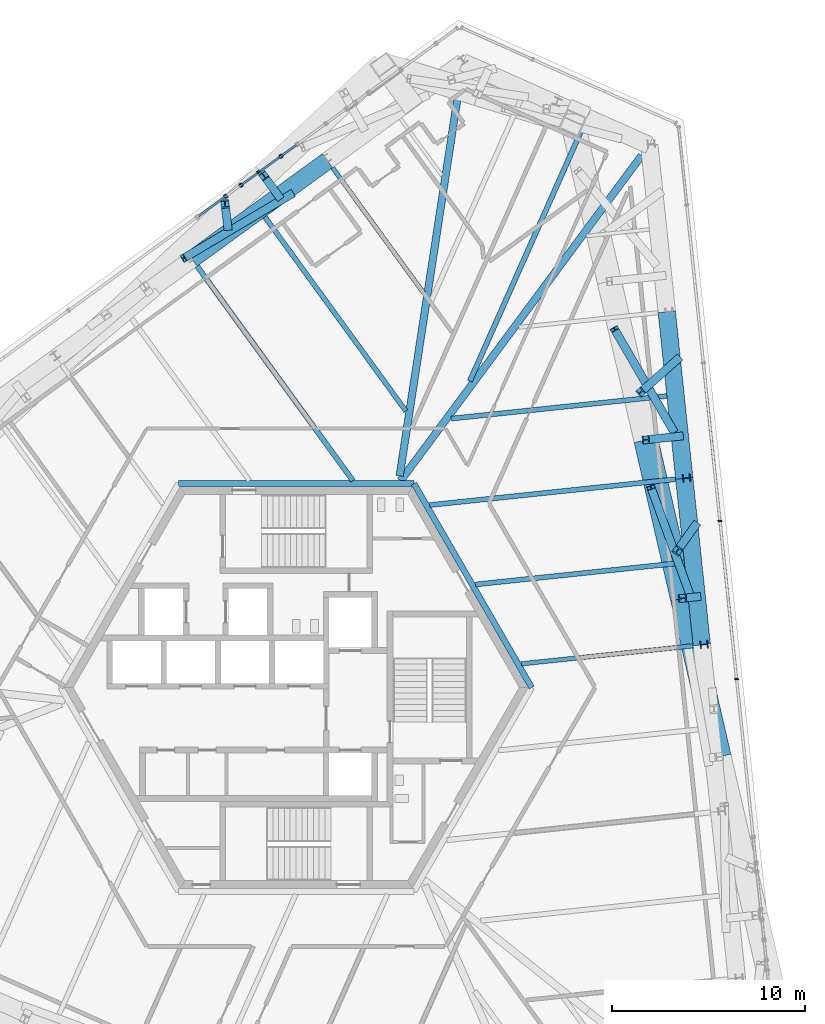
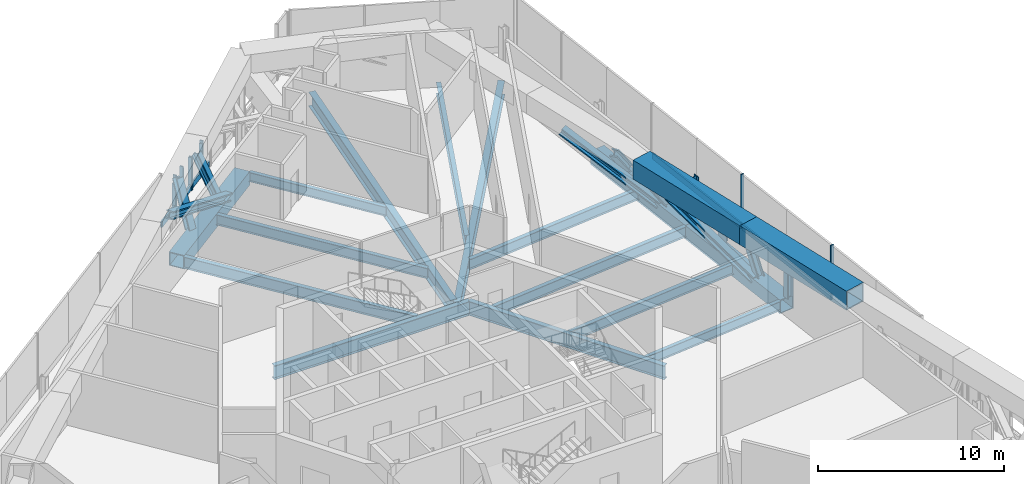
# One storey, part 7 of 30: 32 members, 12 beams, 6 elements without a shape of their own.
"""IFC4 building model written with IfcOpenShell, lengths in metres."""

from ifc_helpers import new_model, si_unit, direction, frame, origin, origin_2d, place, context, subcontext, project, spatial, rectangle, hollow_rectangle, i_section, extrude, source, transform, mapped, material, material_profile, profile_set, type_object, element, aggregate, save


model = new_model("IFC4")

# Units and contexts
model_context = context("Model", 3, precision=1e-05, world=origin(), true_north=direction((0.0, 1.0)))
body_context = subcontext(model_context, "Body", "Model", "MODEL_VIEW")
ifc_project = project(units=[si_unit("LENGTHUNIT", "METRE"), si_unit("AREAUNIT", "SQUARE_METRE"), si_unit("VOLUMEUNIT", "CUBIC_METRE"), si_unit("PLANEANGLEUNIT", "RADIAN"), si_unit("MASSUNIT", "GRAM", prefix="KILO")], contexts=[model_context])

# Site, building, storey
site_placement = place(None, origin())
site = spatial("IfcSite", under=ifc_project, at=site_placement, CompositionType="ELEMENT")
building_placement = place(site_placement, origin())
building = spatial("IfcBuilding", under=site, at=building_placement, Name="Triune Harvest Tower", CompositionType="ELEMENT")
storey_placement = place(building_placement, frame((0.0, 0.0, 94.5)))
storey = spatial("IfcBuildingStorey", under=building, at=storey_placement, Name="L23", CompositionType="ELEMENT", Elevation=94.5)

# Beams
ifc_material_1 = material(Name="Steel ASTM A992 Gr 50", Category="steel")
ifc_material_profile_1 = material_profile(ifc_material_1, i_section(OverallWidth=0.383544921875, OverallDepth=0.9423828125, WebThickness=0.022216796875, FlangeThickness=0.039794921875, at=origin_2d()), Name="W36x232")
ifc_profile_set_1 = profile_set([ifc_material_profile_1], Name="Steel ASTM A992 Gr 50")
beam_type_1 = type_object("IfcBeamType", Name="HG-1 Hip girder W36x232", PredefinedType="BEAM", material=ifc_profile_set_1)
beam_1_placement = place(storey_placement, frame((17.864501953125, 27.514404296875, -0.72119140625), z_axis=(-0.595421945257, -0.803413160899, 0.0), x_axis=(0.803413160899, -0.595421945257, 0.0)))
element("IfcBeam", 1, at=beam_1_placement, inside=storey, type_object=beam_type_1, Name="beam/L23/HG3", PredefinedType="BEAM", context=body_context, shape_type="SweptSolid", body=[
    extrude(i_section(OverallWidth=0.383544921875, OverallDepth=0.9423828125, WebThickness=0.022216796875, FlangeThickness=0.039794921875, at=origin_2d()), origin(), (0.0, 0.0, 1.0), 20.932373046875),
])
ifc_material_2 = material(Name="Steel ASTM A992 Gr 50", Category="steel")
ifc_material_profile_2 = material_profile(ifc_material_2, i_section(OverallWidth=0.22900390625, OverallDepth=0.612060546875, WebThickness=0.011962890625, FlangeThickness=0.01953125, at=origin_2d()), Name="W24x84")
ifc_profile_set_2 = profile_set([ifc_material_profile_2], Name="Steel ASTM A992 Gr 50")
beam_type_2 = type_object("IfcBeamType", Name="JT-3 Floor joist W24x84", PredefinedType="JOIST", material=ifc_profile_set_2)
beam_2_placement = place(storey_placement, frame((1.88232421875, 26.88330078125, -0.55615234375), z_axis=(0.587791940348, -0.809012135176, 0.0), x_axis=(0.809012135176, 0.587791940348, 0.0)))
element("IfcBeam", 2, at=beam_2_placement, inside=storey, type_object=beam_type_2, Name="beam/L23/JT15", PredefinedType="JOIST", context=body_context, shape_type="SweptSolid", body=[
    extrude(i_section(OverallWidth=0.22900390625, OverallDepth=0.612060546875, WebThickness=0.011962890625, FlangeThickness=0.01953125, at=origin_2d()), origin(), (0.0, 0.0, 1.0), 8.02880859375),
])
ifc_material_3 = material(Name="Steel ASTM A992 Gr 50", Category="steel")
ifc_material_profile_3 = material_profile(ifc_material_3, i_section(OverallWidth=0.253662109375, OverallDepth=0.683349609375, WebThickness=0.012451171875, FlangeThickness=0.01904296875, at=origin_2d()), Name="W27x94")
ifc_profile_set_3 = profile_set([ifc_material_profile_3], Name="Steel ASTM A992 Gr 50")
beam_type_3 = type_object("IfcBeamType", Name="JT-4 Floor joist W27x94", PredefinedType="JOIST", material=ifc_profile_set_3)
beam_3_placement = place(storey_placement, frame((20.076904296875, 6.465087890625, -0.591552734375), z_axis=(-0.994522682543, -0.10452097353, 0.0), x_axis=(0.10452097353, -0.994522682543, 0.0)))
element("IfcBeam", 3, at=beam_3_placement, inside=storey, type_object=beam_type_3, Name="beam/L23/JT7", PredefinedType="JOIST", context=body_context, shape_type="SweptSolid", body=[
    extrude(i_section(OverallWidth=0.253662109375, OverallDepth=0.683349609375, WebThickness=0.012451171875, FlangeThickness=0.01904296875, at=origin_2d()), origin(), (0.0, 0.0, 1.0), 10.861572265625),
])
beam_4_placement = place(storey_placement, frame((19.17138671875, 15.079833984375, -0.591552734375), z_axis=(-0.994522260806, -0.104524986299, 0.0), x_axis=(0.104524986299, -0.994522260806, 0.0)))
element("IfcBeam", 4, at=beam_4_placement, inside=storey, type_object=beam_type_3, Name="beam/L23/JT9", PredefinedType="JOIST", context=body_context, shape_type="SweptSolid", body=[
    extrude(i_section(OverallWidth=0.253662109375, OverallDepth=0.683349609375, WebThickness=0.012451171875, FlangeThickness=0.01904296875, at=origin_2d()), origin(), (0.0, 0.0, 1.0), 11.2138671875),
])
ifc_material_4 = material(Name="Steel ASTM A992 Gr 50", Category="steel")
ifc_material_profile_4 = material_profile(ifc_material_4, i_section(OverallWidth=0.2666015625, OverallDepth=0.7568359375, WebThickness=0.013916015625, FlangeThickness=0.019287109375, at=origin_2d()), Name="W30x108")
ifc_profile_set_4 = profile_set([ifc_material_profile_4], Name="Steel ASTM A992 Gr 50")
beam_type_4 = type_object("IfcBeamType", Name="JT-5 Floor joist W30x108", PredefinedType="JOIST", material=ifc_profile_set_4)
beam_5_placement = place(storey_placement, frame((14.865966796875, 29.06787109375, -0.62841796875), z_axis=(-0.406727052674, -0.913549727504, 0.0), x_axis=(0.913549727504, -0.406727052674, 0.0)))
element("IfcBeam", 5, at=beam_5_placement, inside=storey, type_object=beam_type_4, Name="beam/L23/JT12", PredefinedType="JOIST", context=body_context, shape_type="SweptSolid", body=[
    extrude(i_section(OverallWidth=0.2666015625, OverallDepth=0.7568359375, WebThickness=0.013916015625, FlangeThickness=0.019287109375, at=origin_2d()), origin(), (0.0, 0.0, 1.0), 14.468505859375),
])
beam_6_placement = place(storey_placement, frame((-5.12548828125, 21.791748046875, -0.62841796875), z_axis=(0.587785268108, -0.809016982884, 0.0), x_axis=(0.809016982884, 0.587785268108, 0.0)))
element("IfcBeam", 6, at=beam_6_placement, inside=storey, type_object=beam_type_4, Name="beam/L23/JT17", PredefinedType="JOIST", context=body_context, shape_type="SweptSolid", body=[
    extrude(i_section(OverallWidth=0.2666015625, OverallDepth=0.7568359375, WebThickness=0.013916015625, FlangeThickness=0.019287109375, at=origin_2d()), origin(), (0.0, 0.0, 1.0), 13.7138671875),
])

# Member
ifc_material_5 = material(Name="Steel ASTM A992 Gr 50", Category="steel")
ifc_material_profile_5 = material_profile(ifc_material_5, i_section(OverallWidth=0.424072265625, OverallDepth=0.47509765625, WebThickness=0.0478515625, FlangeThickness=0.0771484375, at=origin_2d()), Name="W14x426")
ifc_profile_set_5 = profile_set([ifc_material_profile_5], Name="Steel ASTM A992 Gr 50")
member_type_1 = type_object("IfcMemberType", Name="TD-1 Belt truss diagonal W14x426", PredefinedType="BRACE", material=ifc_profile_set_5)
member_1_placement = place(storey_placement, frame((-3.543701171875, 23.867919921875, -0.324951171875), z_axis=(-0.046182211938, 0.383623515831, 0.922334105084), x_axis=(-0.992831642973, -0.119521247948, 0.0)))
element("IfcMember", 7, at=member_1_placement, inside=storey, type_object=member_type_1, Name="truss/L23/TD20", PredefinedType="BRACE", context=body_context, shape_type="SweptSolid", body=[
    extrude(i_section(OverallWidth=0.424072265625, OverallDepth=0.47509765625, WebThickness=0.0478515625, FlangeThickness=0.0771484375, at=origin_2d()), origin(), (0.0, 0.0, 1.0), 2.9814453125),
])

# Curtain wall, member
ifc_material_6 = material(Name="Aluminium bronze anodised", Category="aluminium")
curtain_wall_type = type_object("IfcCurtainWallType", Name="CW-5 Plant louvre wall", PredefinedType="NOTDEFINED", material=ifc_material_6)
curtain_wall_1_placement = place(storey_placement, origin())
curtain_wall_1 = element("IfcCurtainWall", 8, at=curtain_wall_1_placement, inside=storey, type_object=curtain_wall_type, Name="CW-5 B2-F3 L23 run 801")
ifc_material_7 = material(Name="Aluminium bronze anodised", Category="aluminium")
ifc_material_profile_6 = material_profile(ifc_material_7, rectangle(XDim=0.10009765625, YDim=0.39990234375, at=origin_2d()), Name="TR-5 transom 100 x 400")
ifc_profile_set_6 = profile_set([ifc_material_profile_6], Name="Aluminium bronze anodised")
member_type_2 = type_object("IfcMemberType", Name="TR-5 transom 100 x 400", PredefinedType="USERDEFINED", material=ifc_profile_set_6)
member_2_placement = place(storey_placement, frame((-0.853515625, 27.435791015625, 0.199951171875), z_axis=(-0.80902082646, -0.587779977844, 0.0), x_axis=(0.587779977844, -0.80902082646, 0.0)))
member_2 = element("IfcMember", 9, at=member_2_placement, type_object=member_type_2, Name="CW-5 transom B2-F3 801.1", ObjectType="TRANSOM", PredefinedType="USERDEFINED", context=body_context, shape_type="SweptSolid", body=[
    extrude(rectangle(XDim=0.10009765625, YDim=0.39990234375, at=origin_2d()), origin(), (0.0, 0.0, 1.0), 1.26025390625),
])

curtain_wall_2_placement = place(storey_placement, origin())
curtain_wall_2 = element("IfcCurtainWall", 10, at=curtain_wall_2_placement, inside=storey, type_object=curtain_wall_type, Name="CW-5 B2-F3 L23 run 901")
member_3_placement = place(storey_placement, frame((-2.00244140625, 26.60107421875, 0.199951171875), z_axis=(-0.809049211799, -0.587740906256, 0.0), x_axis=(0.587740906256, -0.809049211799, 0.0)))
member_3 = element("IfcMember", 11, at=member_3_placement, type_object=member_type_2, Name="CW-5 transom B2-F3 901.1", ObjectType="TRANSOM", PredefinedType="USERDEFINED", context=body_context, shape_type="SweptSolid", body=[
    extrude(rectangle(XDim=0.10009765625, YDim=0.39990234375, at=origin_2d()), origin(), (0.0, 0.0, 1.0), 0.977294921875),
])

curtain_wall_3_placement = place(storey_placement, origin())
curtain_wall_3 = element("IfcCurtainWall", 12, at=curtain_wall_3_placement, inside=storey, type_object=curtain_wall_type, Name="CW-5 B2-F3 L23 run 1101")
member_4_placement = place(storey_placement, frame((-3.716064453125, 25.35595703125, 0.199951171875), z_axis=(-0.809125669755, -0.587635644378, 0.0), x_axis=(0.587635644378, -0.809125669755, 0.0)))
member_4 = element("IfcMember", 13, at=member_4_placement, type_object=member_type_2, Name="CW-5 transom B2-F3 1101.1", ObjectType="TRANSOM", PredefinedType="USERDEFINED", context=body_context, shape_type="SweptSolid", body=[
    extrude(rectangle(XDim=0.10009765625, YDim=0.39990234375, at=origin_2d()), origin(), (0.0, 0.0, 1.0), 1.65234375),
])

# Beams
ifc_material_8 = material(Name="Steel ASTM A992 Gr 50", Category="steel")
ifc_material_profile_7 = material_profile(ifc_material_8, i_section(OverallWidth=0.3046875, OverallDepth=0.914306640625, WebThickness=0.0166015625, FlangeThickness=0.02587890625, at=origin_2d()), Name="W36x160")
ifc_profile_set_7 = profile_set([ifc_material_profile_7], Name="Steel ASTM A992 Gr 50")
beam_type_5 = type_object("IfcBeamType", Name="CG-1 Core ring girder W36x160", PredefinedType="BEAM", material=ifc_profile_set_7)
shared_shape_1 = source(origin(), body_context, "Body", "SweptSolid", [
    extrude(i_section(OverallWidth=0.3046875, OverallDepth=0.914306640625, WebThickness=0.0166015625, FlangeThickness=0.02587890625, at=origin_2d()), origin(), (0.0, 0.0, 1.0), 12.176025390625),
])
beam_7_placement = place(storey_placement, frame((12.176025390625, 0.0, -0.707275390625), z_axis=(-0.5000099932, 0.866019634131, 0.0), x_axis=(-0.866019634131, -0.5000099932, 0.0)))
element("IfcBeam", 14, at=beam_7_placement, inside=storey, type_object=beam_type_5, Name="beam/L23/CG1", PredefinedType="BEAM", context=body_context, shape_type="MappedRepresentation", body=[
    mapped(shared_shape_1, transform((0.0, 0.0, 0.0), scale=1.0)),
])
shared_shape_2 = source(origin(), body_context, "Body", "SweptSolid", [
    extrude(i_section(OverallWidth=0.3046875, OverallDepth=0.914306640625, WebThickness=0.0166015625, FlangeThickness=0.02587890625, at=origin_2d()), origin(), (0.0, 0.0, 1.0), 12.17578125),
])
beam_8_placement = place(storey_placement, frame((6.087890625, 10.544677734375, -0.707275390625), z_axis=(-1.0, 0.0, 0.0), x_axis=(0.0, -1.0, 0.0)))
element("IfcBeam", 15, at=beam_8_placement, inside=storey, type_object=beam_type_5, Name="beam/L23/CG2", PredefinedType="BEAM", context=body_context, shape_type="MappedRepresentation", body=[
    mapped(shared_shape_2, transform((0.0, 0.0, 0.0), scale=1.0)),
])
shared_shape_3 = source(origin(), body_context, "Body", "SweptSolid", [
    extrude(i_section(OverallWidth=0.383544921875, OverallDepth=0.9423828125, WebThickness=0.022216796875, FlangeThickness=0.039794921875, at=origin_2d()), origin(), (0.0, 0.0, 1.0), 21.00439453125),
])
beam_9_placement = place(storey_placement, frame((8.52978515625, 31.712890625, -0.72119140625), z_axis=(-0.151382858643, -0.9884752046, 0.0), x_axis=(0.9884752046, -0.151382858643, 0.0)))
element("IfcBeam", 16, at=beam_9_placement, inside=storey, type_object=beam_type_1, Name="beam/L23/HG4", PredefinedType="BEAM", context=body_context, shape_type="MappedRepresentation", body=[
    mapped(shared_shape_3, transform((0.0, 0.0, 0.0), scale=1.0)),
])
shared_shape_4 = source(origin(), body_context, "Body", "SweptSolid", [
    extrude(i_section(OverallWidth=0.253662109375, OverallDepth=0.683349609375, WebThickness=0.012451171875, FlangeThickness=0.01904296875, at=origin_2d()), origin(), (0.0, 0.0, 1.0), 12.404052734375),
])
beam_10_placement = place(storey_placement, frame((-1.62158203125, 24.33740234375, -0.591552734375), z_axis=(0.587787776272, -0.809015160591, 0.0), x_axis=(0.809015160591, 0.587787776272, 0.0)))
element("IfcBeam", 17, at=beam_10_placement, inside=storey, type_object=beam_type_3, Name="beam/L23/JT16", PredefinedType="JOIST", context=body_context, shape_type="MappedRepresentation", body=[
    mapped(shared_shape_4, transform((0.0, 0.0, 0.0), scale=1.0)),
])
shared_shape_5 = source(origin(), body_context, "Body", "SweptSolid", [
    extrude(i_section(OverallWidth=0.22900390625, OverallDepth=0.612060546875, WebThickness=0.011962890625, FlangeThickness=0.01953125, at=origin_2d()), origin(), (0.0, 0.0, 1.0), 8.93310546875),
])
beam_11_placement = place(storey_placement, frame((20.529541015625, 2.15771484375, -0.55615234375), z_axis=(-0.994524006426, -0.104508375943, 0.0), x_axis=(0.104508375943, -0.994524006426, 0.0)))
element("IfcBeam", 18, at=beam_11_placement, inside=storey, type_object=beam_type_2, Name="beam/L23/JT6", PredefinedType="JOIST", context=body_context, shape_type="MappedRepresentation", body=[
    mapped(shared_shape_5, transform((0.0, 0.0, 0.0), scale=1.0)),
])
shared_shape_6 = source(origin(), body_context, "Body", "SweptSolid", [
    extrude(i_section(OverallWidth=0.253662109375, OverallDepth=0.683349609375, WebThickness=0.012451171875, FlangeThickness=0.01904296875, at=origin_2d()), origin(), (0.0, 0.0, 1.0), 12.789794921875),
])
beam_12_placement = place(storey_placement, frame((19.6240234375, 10.7724609375, -0.591552734375), z_axis=(-0.994521757765, -0.104529772467, 0.0), x_axis=(0.104529772467, -0.994521757765, 0.0)))
element("IfcBeam", 19, at=beam_12_placement, inside=storey, type_object=beam_type_3, Name="beam/L23/JT8", PredefinedType="JOIST", context=body_context, shape_type="MappedRepresentation", body=[
    mapped(shared_shape_6, transform((0.0, 0.0, 0.0), scale=1.0)),
])

# Members
ifc_material_9 = material(Name="Steel ASTM A992 Gr 50", Category="steel")
ifc_material_profile_8 = material_profile(ifc_material_9, i_section(OverallWidth=0.398681640625, OverallDepth=0.393798828125, WebThickness=0.022705078125, FlangeThickness=0.03662109375, at=origin_2d()), Name="W14x193")
ifc_profile_set_8 = profile_set([ifc_material_profile_8], Name="Steel ASTM A992 Gr 50")
member_type_3 = type_object("IfcMemberType", Name="WP-2 Roof edge post W14x193", PredefinedType="POST", material=ifc_profile_set_8)
shared_shape_7 = source(origin(), body_context, "Body", "SweptSolid", [
    extrude(i_section(OverallWidth=0.398681640625, OverallDepth=0.393798828125, WebThickness=0.022705078125, FlangeThickness=0.03662109375, at=origin_2d()), origin(), (0.0, 0.0, 1.0), 2.9755859375),
])
for number, where, z_axis, x_axis, name in (
    (20, (21.09619140625, 2.21728515625, -0.25), (0.0, 0.0, 1.0), (-0.104526727499, 0.994522077803, 0.0), "post/L23/W3"),
    (21, (20.19091796875, 10.83203125, -0.25), (0.0, 0.0, 1.0), (-0.104526727499, 0.994522077803, 0.0), "post/L23/W4"),
):
    element("IfcMember", number, at=place(storey_placement, frame(where, z_axis=z_axis, x_axis=x_axis)), inside=storey, type_object=member_type_3, Name=name, PredefinedType="POST", context=body_context, shape_type="MappedRepresentation", body=[
        mapped(shared_shape_7, transform((0.0, 0.0, 0.0), scale=1.0)),
    ])
ifc_material_10 = material(Name="Steel ASTM A572 Gr 50", Category="steel")
ifc_material_profile_9 = material_profile(ifc_material_10, hollow_rectangle(XDim=0.89990234375, YDim=0.89990234375, WallThickness=0.050048828125, at=origin_2d()), Name="Box 900x900x50")
ifc_profile_set_9 = profile_set([ifc_material_profile_9], Name="Steel ASTM A572 Gr 50")
member_type_4 = type_object("IfcMemberType", Name="TC-2 Belt truss chord Box 900x900x50", PredefinedType="CHORD", material=ifc_profile_set_9)
shared_shape_8 = source(origin(), body_context, "Body", "SweptSolid", [
    extrude(hollow_rectangle(XDim=0.89990234375, YDim=0.89990234375, WallThickness=0.050048828125, at=origin_2d()), origin(), (0.0, 0.0, 1.0), 8.662109375),
])
for number, where, z_axis, x_axis, name in (
    (22, (20.97705078125, 2.204833984375, -0.699951171875), (-0.104536601969, 0.994521039923, 0.0), (-0.994521039923, -0.104536601969, 0.0), "truss/L23/TCB4"),
    (23, (20.071533203125, 10.819580078125, -0.699951171875), (-0.104536601969, 0.994521039923, 0.0), (-0.994521039923, -0.104536601969, 0.0), "truss/L23/TCB5"),
    (24, (1.617919921875, 27.247314453125, -0.699951171875), (-0.809012661611, -0.587791215785, 0.0), (0.587791215785, -0.809012661611, 0.0), "truss/L23/TCB10"),
):
    element("IfcMember", number, at=place(storey_placement, frame(where, z_axis=z_axis, x_axis=x_axis)), inside=storey, type_object=member_type_4, Name=name, PredefinedType="CHORD", context=body_context, shape_type="MappedRepresentation", body=[
        mapped(shared_shape_8, transform((0.0, 0.0, 0.0), scale=1.0)),
    ])
ifc_material_11 = material(Name="Steel ASTM A572 Gr 50", Category="steel")
ifc_material_profile_10 = material_profile(ifc_material_11, hollow_rectangle(XDim=1.25, YDim=1.25, WallThickness=0.070068359375, at=origin_2d()), Name="Box 1250x1250x70")
ifc_profile_set_10 = profile_set([ifc_material_profile_10], Name="Steel ASTM A572 Gr 50")
member_type_5 = type_object("IfcMemberType", Name="TC-1 Belt truss chord Box 1250x1250x70", PredefinedType="CHORD", material=ifc_profile_set_10)
shared_shape_9 = source(origin(), body_context, "Body", "SweptSolid", [
    extrude(hollow_rectangle(XDim=1.25, YDim=1.25, WallThickness=0.070068359375, at=origin_2d()), origin(), (0.0, 0.0, 1.0), 8.414306640625),
])
for number, where, z_axis, x_axis, name in (
    (25, (21.872802734375, -3.5859375, 3.014892578125), (-0.224950624774, 0.974370163959, 0.0), (-0.974370163959, -0.224950624774, 0.0), "truss/L23/TCT3"),
    (26, (19.97998046875, 4.61279296875, 3.014892578125), (-0.224950624774, 0.974370163959, 0.0), (-0.974370163959, -0.224950624774, 0.0), "truss/L23/TCT4"),
):
    element("IfcMember", number, at=place(storey_placement, frame(where, z_axis=z_axis, x_axis=x_axis)), inside=storey, type_object=member_type_5, Name=name, PredefinedType="CHORD", context=body_context, shape_type="MappedRepresentation", body=[
        mapped(shared_shape_9, transform((0.0, 0.0, 0.0), scale=1.0)),
    ])
ifc_material_12 = material(Name="Steel ASTM A992 Gr 50", Category="steel")
ifc_material_profile_11 = material_profile(ifc_material_12, i_section(OverallWidth=0.411376953125, OverallDepth=0.434326171875, WebThickness=0.035888671875, FlangeThickness=0.057373046875, at=origin_2d()), Name="W14x311")
ifc_profile_set_11 = profile_set([ifc_material_profile_11], Name="Steel ASTM A992 Gr 50")
member_type_6 = type_object("IfcMemberType", Name="TV-1 Belt truss strut W14x311", PredefinedType="STRUT", material=ifc_profile_set_11)
shared_shape_10 = source(origin(), body_context, "Body", "SweptSolid", [
    extrude(i_section(OverallWidth=0.411376953125, OverallDepth=0.434326171875, WebThickness=0.035888671875, FlangeThickness=0.057373046875, at=origin_2d()), origin(), (0.0, 0.0, 1.0), 3.00146484375),
])
member_5_placement = place(storey_placement, frame((-0.90625, 25.413330078125, -0.27490234375), z_axis=(-0.256711944222, 0.353426298366, 0.899549236739), x_axis=(-0.809090243254, -0.587684420647, 0.0)))
element("IfcMember", 27, at=member_5_placement, inside=storey, type_object=member_type_6, Name="truss/L23/TS10", PredefinedType="STRUT", context=body_context, shape_type="MappedRepresentation", body=[
    mapped(shared_shape_10, transform((0.0, 0.0, 0.0), scale=1.0)),
])
shared_shape_11 = source(origin(), body_context, "Body", "SweptSolid", [
    extrude(i_section(OverallWidth=0.411376953125, OverallDepth=0.434326171875, WebThickness=0.035888671875, FlangeThickness=0.057373046875, at=origin_2d()), origin(), (0.0, 0.0, 1.0), 2.799560546875),
])
member_6_placement = place(storey_placement, frame((20.7158203125, 4.690185546875, -0.27490234375), z_axis=(-0.262847116457, -0.027645167856, 0.964441360615), x_axis=(0.104598902828, -0.99451448935, 0.0)))
element("IfcMember", 28, at=member_6_placement, inside=storey, type_object=member_type_6, Name="truss/L23/TS4", PredefinedType="STRUT", context=body_context, shape_type="MappedRepresentation", body=[
    mapped(shared_shape_11, transform((0.0, 0.0, 0.0), scale=1.0)),
])
shared_shape_12 = source(origin(), body_context, "Body", "SweptSolid", [
    extrude(i_section(OverallWidth=0.411376953125, OverallDepth=0.434326171875, WebThickness=0.035888671875, FlangeThickness=0.057373046875, at=origin_2d()), origin(), (0.0, 0.0, 1.0), 3.225830078125),
])
member_7_placement = place(storey_placement, frame((19.8427734375, 12.99609375, -0.27490234375), z_axis=(-0.544236535479, -0.057216356671, 0.836978423843), x_axis=(0.104555197931, -0.994519085079, 0.0)))
element("IfcMember", 29, at=member_7_placement, inside=storey, type_object=member_type_6, Name="truss/L23/TS5", PredefinedType="STRUT", context=body_context, shape_type="MappedRepresentation", body=[
    mapped(shared_shape_12, transform((0.0, 0.0, 0.0), scale=1.0)),
])
shared_shape_13 = source(origin(), body_context, "Body", "SweptSolid", [
    extrude(i_section(OverallWidth=0.424072265625, OverallDepth=0.47509765625, WebThickness=0.0478515625, FlangeThickness=0.0771484375, at=origin_2d()), origin(), (0.0, 0.0, 1.0), 7.07373046875),
])
member_8_placement = place(storey_placement, frame((-0.228271484375, 25.53515625, -0.324951171875), z_axis=(-0.791367989523, -0.471804283518, 0.388763968511), x_axis=(0.51208633369, -0.858933982823, 0.0)))
element("IfcMember", 30, at=member_8_placement, inside=storey, type_object=member_type_1, Name="truss/L23/TD19", PredefinedType="BRACE", context=body_context, shape_type="MappedRepresentation", body=[
    mapped(shared_shape_13, transform((0.0, 0.0, 0.0), scale=1.0)),
])
shared_shape_14 = source(origin(), body_context, "Body", "SweptSolid", [
    extrude(i_section(OverallWidth=0.424072265625, OverallDepth=0.47509765625, WebThickness=0.0478515625, FlangeThickness=0.0771484375, at=origin_2d()), origin(), (0.0, 0.0, 1.0), 6.64404296875),
])
member_9_placement = place(storey_placement, frame((20.417236328125, 4.65966796875, -0.324951171875), z_axis=(-0.31093743911, 0.855574017046, 0.413897342725), x_axis=(-0.939857048251, -0.341568044249, 0.0)))
element("IfcMember", 31, at=member_9_placement, inside=storey, type_object=member_type_1, Name="truss/L23/TD7", PredefinedType="BRACE", context=body_context, shape_type="MappedRepresentation", body=[
    mapped(shared_shape_14, transform((0.0, 0.0, 0.0), scale=1.0)),
])
shared_shape_15 = source(origin(), body_context, "Body", "SweptSolid", [
    extrude(i_section(OverallWidth=0.424072265625, OverallDepth=0.47509765625, WebThickness=0.0478515625, FlangeThickness=0.0771484375, at=origin_2d()), origin(), (0.0, 0.0, 1.0), 3.170166015625),
])
member_10_placement = place(storey_placement, frame((20.63134765625, 8.364501953125, -0.324951171875), z_axis=(-0.288717243544, -0.4051590873, 0.867460931258), x_axis=(0.814381434246, -0.580329974717, 0.0)))
element("IfcMember", 32, at=member_10_placement, inside=storey, type_object=member_type_1, Name="truss/L23/TD8", PredefinedType="BRACE", context=body_context, shape_type="MappedRepresentation", body=[
    mapped(shared_shape_15, transform((0.0, 0.0, 0.0), scale=1.0)),
])
shared_shape_16 = source(origin(), body_context, "Body", "SweptSolid", [
    extrude(i_section(OverallWidth=0.424072265625, OverallDepth=0.47509765625, WebThickness=0.0478515625, FlangeThickness=0.0771484375, at=origin_2d()), origin(), (0.0, 0.0, 1.0), 6.681640625),
])
member_11_placement = place(storey_placement, frame((19.511962890625, 13.2744140625, -0.324951171875), z_axis=(-0.456996094795, 0.788516488821, 0.411577837353), x_axis=(-0.865194705061, -0.501436060065, 0.0)))
element("IfcMember", 33, at=member_11_placement, inside=storey, type_object=member_type_1, Name="truss/L23/TD9", PredefinedType="BRACE", context=body_context, shape_type="MappedRepresentation", body=[
    mapped(shared_shape_16, transform((0.0, 0.0, 0.0), scale=1.0)),
])
shared_shape_17 = source(origin(), body_context, "Body", "SweptSolid", [
    extrude(i_section(OverallWidth=0.424072265625, OverallDepth=0.47509765625, WebThickness=0.0478515625, FlangeThickness=0.0771484375, at=origin_2d()), origin(), (0.0, 0.0, 1.0), 3.751708984375),
])
member_12_placement = place(storey_placement, frame((19.725830078125, 16.9794921875, -0.324951171875), z_axis=(-0.507137457771, -0.453319585632, 0.733016338295), x_axis=(0.666439625991, -0.745559001629, 0.0)))
element("IfcMember", 34, at=member_12_placement, inside=storey, type_object=member_type_1, Name="truss/L23/TD10", PredefinedType="BRACE", context=body_context, shape_type="MappedRepresentation", body=[
    mapped(shared_shape_17, transform((0.0, 0.0, 0.0), scale=1.0)),
])

# Curtain wall, member
curtain_wall_4_placement = place(storey_placement, origin())
curtain_wall_4 = element("IfcCurtainWall", 35, at=curtain_wall_4_placement, inside=storey, type_object=curtain_wall_type, Name="CW-5 B2-F3 L23 run 701")
ifc_material_13 = material(Name="Aluminium bronze anodised", Category="aluminium")
ifc_material_profile_12 = material_profile(ifc_material_13, rectangle(XDim=0.199951171875, YDim=0.080078125, at=origin_2d()), Name="MU-5 mullion 80 x 200")
ifc_profile_set_12 = profile_set([ifc_material_profile_12], Name="Aluminium bronze anodised")
member_type_7 = type_object("IfcMemberType", Name="MU-5 mullion 80 x 200", PredefinedType="MULLION", material=ifc_profile_set_12)
shared_shape_18 = source(origin(), body_context, "Body", "SweptSolid", [
    extrude(rectangle(XDim=0.199951171875, YDim=0.080078125, at=origin_2d()), origin(), (0.0, 0.0, 1.0), 2.330078125),
])
member_13_placement = place(storey_placement, frame((-0.75634765625, 27.50634765625, 0.0), z_axis=(0.0, 0.0, 1.0), x_axis=(0.587796316508, -0.809008955636, 0.0)))
member_13 = element("IfcMember", 36, at=member_13_placement, type_object=member_type_7, Name="CW-5 mullion B2-F3 701.2", PredefinedType="MULLION", context=body_context, shape_type="MappedRepresentation", body=[
    mapped(shared_shape_18, transform((0.0, 0.0, 0.0), scale=1.0)),
])

# Curtain wall, members
curtain_wall_5_placement = place(storey_placement, origin())
curtain_wall_5 = element("IfcCurtainWall", 37, at=curtain_wall_5_placement, inside=storey, type_object=curtain_wall_type, Name="CW-5 B2-F3 L23 run 1001")
member_14_placement = place(storey_placement, frame((-2.890380859375, 25.9560546875, 0.0), z_axis=(0.0, 0.0, 1.0), x_axis=(0.587759328753, -0.809035828294, 0.0)))
member_14 = element("IfcMember", 38, at=member_14_placement, type_object=member_type_7, Name="CW-5 mullion B2-F3 1001.1", PredefinedType="MULLION", context=body_context, shape_type="MappedRepresentation", body=[
    mapped(shared_shape_18, transform((0.0, 0.0, 0.0), scale=1.0)),
])
member_15_placement = place(storey_placement, frame((-3.619140625, 25.426513671875, 0.0), z_axis=(0.0, 0.0, 1.0), x_axis=(0.587759328753, -0.809035828294, 0.0)))
member_15 = element("IfcMember", 39, at=member_15_placement, type_object=member_type_7, Name="CW-5 mullion B2-F3 1001.2", PredefinedType="MULLION", context=body_context, shape_type="MappedRepresentation", body=[
    mapped(shared_shape_18, transform((0.0, 0.0, 0.0), scale=1.0)),
])
aggregate(curtain_wall_5, [member_14, member_15])

curtain_wall_6_placement = place(storey_placement, origin())
curtain_wall_6 = element("IfcCurtainWall", 40, at=curtain_wall_6_placement, inside=storey, type_object=curtain_wall_type, Name="CW-5 B2-F1 L23 run 1501")
shared_shape_19 = source(origin(), body_context, "Body", "SweptSolid", [
    extrude(rectangle(XDim=0.199951171875, YDim=0.080078125, at=origin_2d()), origin(), (0.0, 0.0, 1.0), 3.639892578125),
])
member_16_placement = place(storey_placement, frame((22.776611328125, 0.43896484375, 0.0), z_axis=(0.0, 0.0, 1.0), x_axis=(-0.994521914318, -0.104528282973, 0.0)))
member_16 = element("IfcMember", 41, at=member_16_placement, type_object=member_type_7, Name="CW-5 mullion B2-F1 1501.3", PredefinedType="MULLION", context=body_context, shape_type="MappedRepresentation", body=[
    mapped(shared_shape_19, transform((0.0, 0.0, 0.0), scale=1.0)),
])
member_17_placement = place(storey_placement, frame((21.91748046875, 8.61328125, 0.0), z_axis=(0.0, 0.0, 1.0), x_axis=(-0.994521914318, -0.104528282973, 0.0)))
member_17 = element("IfcMember", 42, at=member_17_placement, type_object=member_type_7, Name="CW-5 mullion B2-F1 1501.5", PredefinedType="MULLION", context=body_context, shape_type="MappedRepresentation", body=[
    mapped(shared_shape_19, transform((0.0, 0.0, 0.0), scale=1.0)),
])

# Member
shared_shape_20 = source(origin(), body_context, "Body", "SweptSolid", [
    extrude(rectangle(XDim=0.10009765625, YDim=0.39990234375, at=origin_2d()), origin(), (0.0, 0.0, 1.0), 0.8857421875),
])
member_18_placement = place(storey_placement, frame((-0.007568359375, 28.050537109375, 0.199951171875), z_axis=(-0.809069729339, -0.587712661993, 0.0), x_axis=(0.587712661993, -0.809069729339, 0.0)))
member_18 = element("IfcMember", 43, at=member_18_placement, type_object=member_type_2, Name="CW-5 transom B2-F3 701.1", ObjectType="TRANSOM", PredefinedType="USERDEFINED", context=body_context, shape_type="MappedRepresentation", body=[
    mapped(shared_shape_20, transform((0.0, 0.0, 0.0), scale=1.0)),
])

aggregate(curtain_wall_4, [member_13, member_18])

shared_shape_21 = source(origin(), body_context, "Body", "SweptSolid", [
    extrude(rectangle(XDim=0.10009765625, YDim=0.39990234375, at=origin_2d()), origin(), (0.0, 0.0, 1.0), 8.139404296875),
])
member_19_placement = place(storey_placement, frame((22.7724609375, 0.478759765625, 0.199951171875), z_axis=(-0.104533328008, 0.994521384051, 0.0), x_axis=(-0.994521384051, -0.104533328008, 0.0)))
member_19 = element("IfcMember", 44, at=member_19_placement, type_object=member_type_2, Name="CW-5 transom B2-F1 1501.2", ObjectType="TRANSOM", PredefinedType="USERDEFINED", context=body_context, shape_type="MappedRepresentation", body=[
    mapped(shared_shape_21, transform((0.0, 0.0, 0.0), scale=1.0)),
])

member_20_placement = place(storey_placement, frame((21.913330078125, 8.653076171875, 0.199951171875), z_axis=(-0.104533328008, 0.994521384051, 0.0), x_axis=(-0.994521384051, -0.104533328008, 0.0)))
member_20 = element("IfcMember", 45, at=member_20_placement, type_object=member_type_2, Name="CW-5 transom B2-F1 1501.3", ObjectType="TRANSOM", PredefinedType="USERDEFINED", context=body_context, shape_type="MappedRepresentation", body=[
    mapped(shared_shape_21, transform((0.0, 0.0, 0.0), scale=1.0)),
])

aggregate(curtain_wall_6, [member_16, member_17, member_19, member_20])

shared_shape_22 = source(origin(), body_context, "Body", "SweptSolid", [
    extrude(rectangle(XDim=0.199951171875, YDim=0.080078125, at=origin_2d()), origin(), (0.0, 0.0, 1.0), 2.1904296875),
])
member_21_placement = place(storey_placement, frame((-0.821044921875, 27.45947265625, 0.0), z_axis=(0.0, 0.0, 1.0), x_axis=(0.58781995035, -0.808991783624, 0.0)))
member_21 = element("IfcMember", 46, at=member_21_placement, type_object=member_type_7, Name="CW-5 mullion B2-F3 801.1", PredefinedType="MULLION", context=body_context, shape_type="MappedRepresentation", body=[
    mapped(shared_shape_22, transform((0.0, 0.0, 0.0), scale=1.0)),
])

member_22_placement = place(storey_placement, frame((-1.9052734375, 26.671630859375, 0.0), z_axis=(0.0, 0.0, 1.0), x_axis=(0.58781995035, -0.808991783624, 0.0)))
member_22 = element("IfcMember", 47, at=member_22_placement, type_object=member_type_7, Name="CW-5 mullion B2-F3 801.2", PredefinedType="MULLION", context=body_context, shape_type="MappedRepresentation", body=[
    mapped(shared_shape_22, transform((0.0, 0.0, 0.0), scale=1.0)),
])

aggregate(curtain_wall_1, [member_21, member_22, member_2])

shared_shape_23 = source(origin(), body_context, "Body", "SweptSolid", [
    extrude(rectangle(XDim=0.199951171875, YDim=0.080078125, at=origin_2d()), origin(), (0.0, 0.0, 1.0), 2.190185546875),
])
member_23_placement = place(storey_placement, frame((-1.969970703125, 26.62451171875, 0.0), z_axis=(0.0, 0.0, 1.0), x_axis=(0.587763912234, -0.809032498405, 0.0)))
member_23 = element("IfcMember", 48, at=member_23_placement, type_object=member_type_7, Name="CW-5 mullion B2-F3 901.1", PredefinedType="MULLION", context=body_context, shape_type="MappedRepresentation", body=[
    mapped(shared_shape_23, transform((0.0, 0.0, 0.0), scale=1.0)),
])

member_24_placement = place(storey_placement, frame((-2.82568359375, 26.0029296875, 0.0), z_axis=(0.0, 0.0, 1.0), x_axis=(0.587763912234, -0.809032498405, 0.0)))
member_24 = element("IfcMember", 49, at=member_24_placement, type_object=member_type_7, Name="CW-5 mullion B2-F3 901.2", PredefinedType="MULLION", context=body_context, shape_type="MappedRepresentation", body=[
    mapped(shared_shape_23, transform((0.0, 0.0, 0.0), scale=1.0)),
])

aggregate(curtain_wall_2, [member_23, member_24, member_3])

shared_shape_24 = source(origin(), body_context, "Body", "SweptSolid", [
    extrude(rectangle(XDim=0.199951171875, YDim=0.080078125, at=origin_2d()), origin(), (0.0, 0.0, 1.0), 1.83642578125),
])
member_25_placement = place(storey_placement, frame((-3.683837890625, 25.379638671875, 0.0), z_axis=(0.0, 0.0, 1.0), x_axis=(0.587764791306, -0.809031859757, 0.0)))
member_25 = element("IfcMember", 50, at=member_25_placement, type_object=member_type_7, Name="CW-5 mullion B2-F3 1101.1", PredefinedType="MULLION", context=body_context, shape_type="MappedRepresentation", body=[
    mapped(shared_shape_24, transform((0.0, 0.0, 0.0), scale=1.0)),
])

aggregate(curtain_wall_3, [member_25, member_4])

save(model, "model.ifc")
